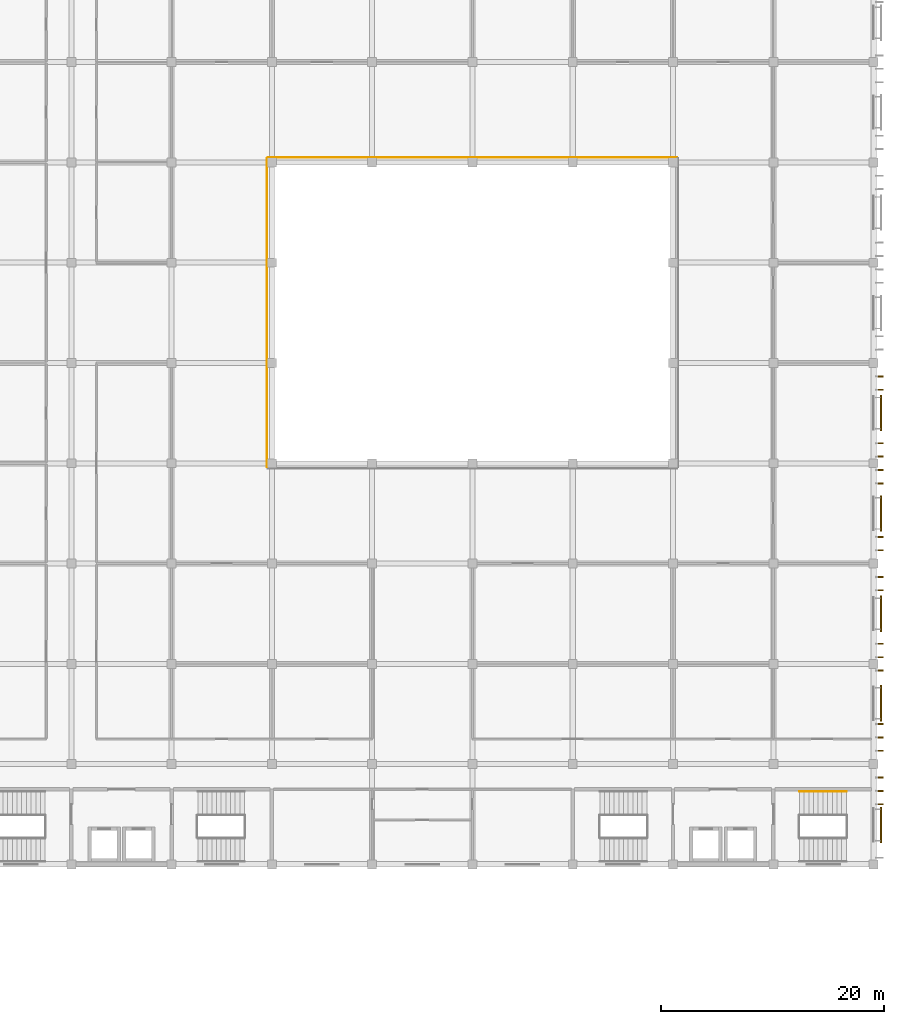
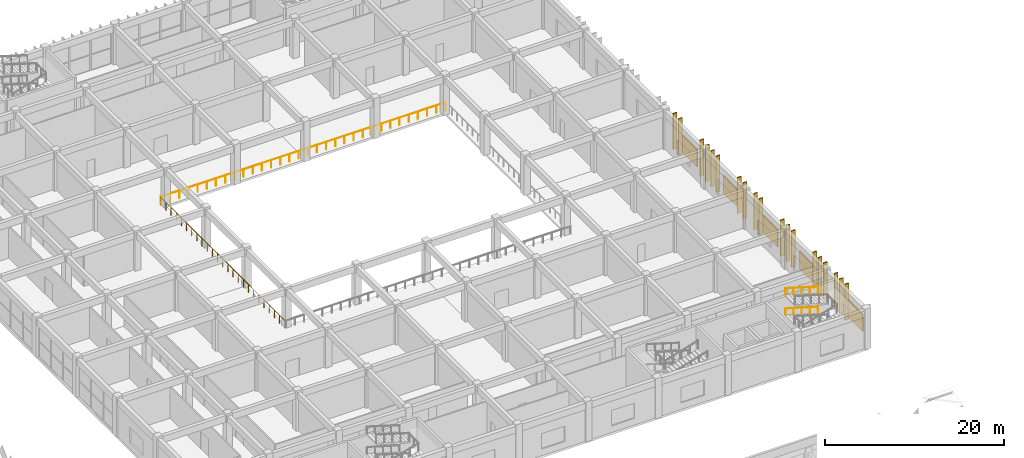
# One storey, part 183 of 185: 19 coverings, 5 shading devices, 4 railings.
"""IFC4 building model written with IfcOpenShell, lengths in metres."""

from ifc_helpers import new_model, si_unit, direction, frame, origin, origin_2d, place, context, subcontext, project, spatial, rectangle, circle, extrude, material, layer, layer_set, constituent, constituent_set, type_object, element, save


model = new_model("IFC4")

# Units and contexts
model_context = context("Model", 3, precision=1e-05, world=origin(), true_north=direction((0.0, 1.0)))
body_context = subcontext(model_context, "Body", "Model", "MODEL_VIEW")
ifc_project = project(units=[si_unit("LENGTHUNIT", "METRE"), si_unit("AREAUNIT", "SQUARE_METRE"), si_unit("VOLUMEUNIT", "CUBIC_METRE"), si_unit("PLANEANGLEUNIT", "RADIAN"), si_unit("MASSUNIT", "GRAM", prefix="KILO")], contexts=[model_context])

# Site, building, storey
site_placement = place(None, origin())
site = spatial("IfcSite", under=ifc_project, at=site_placement, CompositionType="ELEMENT")
building_placement = place(site_placement, origin())
building = spatial("IfcBuilding", under=site, at=building_placement, Name="Opaline Strait Convention Centre", CompositionType="ELEMENT")
storey_placement = place(building_placement, frame((0.0, 0.0, 6.0)))
storey = spatial("IfcBuildingStorey", under=building, at=storey_placement, Name="L01", CompositionType="ELEMENT", Elevation=6.0)

# Railings
ifc_material_1 = material(Name="Steel Q235B", Category="steel")
ifc_constituent_1 = constituent(ifc_material_1, Name="Frame")
ifc_material_2 = material(Name="Safety glass, bonded interlayer", Category="glass")
ifc_constituent_2 = constituent(ifc_material_2, Name="Infill")
ifc_constituent_set = constituent_set(constituents=[ifc_constituent_1, ifc_constituent_2], Name="Steel Q235B, Safety glass, bonded interlayer")
railing_type_1 = type_object("IfcRailingType", Name="Guard 1100 steel and glass", PredefinedType="GUARDRAIL", material=ifc_constituent_set)
railing_1_placement = place(storey_placement, frame((342.35009765625, 153.449951171875, 0.0)))
element("IfcRailing", 1, at=railing_1_placement, inside=storey, type_object=railing_type_1, Name="Atrium edge guard L01 N", PredefinedType="GUARDRAIL", context=body_context, shape_type="SweptSolid", body=[
    extrude(circle(Radius=0.02392578125, at=origin_2d()), frame((0.0, 0.0, 1.076171875), z_axis=(-1.0, 0.0, 0.0), x_axis=(0.0, -1.0, 0.0)), (0.0, 0.0, 1.0), 36.7001953125),
    extrude(circle(Radius=0.02099609375, at=origin_2d()), origin(), (0.0, 0.0, 1.0), 1.052001953125),
    extrude(circle(Radius=0.02099609375, at=origin_2d()), frame((-1.183837890625, 0.0, 0.0)), (0.0, 0.0, 1.0), 1.052001953125),
    extrude(circle(Radius=0.02099609375, at=origin_2d()), frame((-2.36767578125, 0.0, 0.0)), (0.0, 0.0, 1.0), 1.052001953125),
    extrude(circle(Radius=0.02099609375, at=origin_2d()), frame((-3.551513671875, 0.0, 0.0)), (0.0, 0.0, 1.0), 1.052001953125),
    extrude(circle(Radius=0.02099609375, at=origin_2d()), frame((-4.735595703125, 0.0, 0.0)), (0.0, 0.0, 1.0), 1.052001953125),
    extrude(circle(Radius=0.02099609375, at=origin_2d()), frame((-5.91943359375, 0.0, 0.0)), (0.0, 0.0, 1.0), 1.052001953125),
    extrude(circle(Radius=0.02099609375, at=origin_2d()), frame((-7.103271484375, 0.0, 0.0)), (0.0, 0.0, 1.0), 1.052001953125),
    extrude(circle(Radius=0.02099609375, at=origin_2d()), frame((-8.287109375, 0.0, 0.0)), (0.0, 0.0, 1.0), 1.052001953125),
    extrude(circle(Radius=0.02099609375, at=origin_2d()), frame((-9.470947265625, 0.0, 0.0)), (0.0, 0.0, 1.0), 1.052001953125),
    extrude(circle(Radius=0.02099609375, at=origin_2d()), frame((-10.65478515625, 0.0, 0.0)), (0.0, 0.0, 1.0), 1.052001953125),
    extrude(circle(Radius=0.02099609375, at=origin_2d()), frame((-11.8388671875, 0.0, 0.0)), (0.0, 0.0, 1.0), 1.052001953125),
    extrude(circle(Radius=0.02099609375, at=origin_2d()), frame((-13.022705078125, 0.0, 0.0)), (0.0, 0.0, 1.0), 1.052001953125),
    extrude(circle(Radius=0.02099609375, at=origin_2d()), frame((-14.20654296875, 0.0, 0.0)), (0.0, 0.0, 1.0), 1.052001953125),
    extrude(circle(Radius=0.02099609375, at=origin_2d()), frame((-15.390380859375, 0.0, 0.0)), (0.0, 0.0, 1.0), 1.052001953125),
    extrude(circle(Radius=0.02099609375, at=origin_2d()), frame((-16.57421875, 0.0, 0.0)), (0.0, 0.0, 1.0), 1.052001953125),
    extrude(circle(Radius=0.02099609375, at=origin_2d()), frame((-17.758056640625, 0.0, 0.0)), (0.0, 0.0, 1.0), 1.052001953125),
    extrude(circle(Radius=0.02099609375, at=origin_2d()), frame((-18.942138671875, 0.0, 0.0)), (0.0, 0.0, 1.0), 1.052001953125),
    extrude(circle(Radius=0.02099609375, at=origin_2d()), frame((-20.1259765625, 0.0, 0.0)), (0.0, 0.0, 1.0), 1.052001953125),
    extrude(circle(Radius=0.02099609375, at=origin_2d()), frame((-21.309814453125, 0.0, 0.0)), (0.0, 0.0, 1.0), 1.052001953125),
    extrude(circle(Radius=0.02099609375, at=origin_2d()), frame((-22.49365234375, 0.0, 0.0)), (0.0, 0.0, 1.0), 1.052001953125),
    extrude(circle(Radius=0.02099609375, at=origin_2d()), frame((-23.677490234375, 0.0, 0.0)), (0.0, 0.0, 1.0), 1.052001953125),
    extrude(circle(Radius=0.02099609375, at=origin_2d()), frame((-24.861328125, 0.0, 0.0)), (0.0, 0.0, 1.0), 1.052001953125),
    extrude(circle(Radius=0.02099609375, at=origin_2d()), frame((-26.04541015625, 0.0, 0.0)), (0.0, 0.0, 1.0), 1.052001953125),
    extrude(circle(Radius=0.02099609375, at=origin_2d()), frame((-27.229248046875, 0.0, 0.0)), (0.0, 0.0, 1.0), 1.052001953125),
    extrude(circle(Radius=0.02099609375, at=origin_2d()), frame((-28.4130859375, 0.0, 0.0)), (0.0, 0.0, 1.0), 1.052001953125),
    extrude(circle(Radius=0.02099609375, at=origin_2d()), frame((-29.596923828125, 0.0, 0.0)), (0.0, 0.0, 1.0), 1.052001953125),
    extrude(circle(Radius=0.02099609375, at=origin_2d()), frame((-30.78076171875, 0.0, 0.0)), (0.0, 0.0, 1.0), 1.052001953125),
    extrude(circle(Radius=0.02099609375, at=origin_2d()), frame((-31.964599609375, 0.0, 0.0)), (0.0, 0.0, 1.0), 1.052001953125),
    extrude(circle(Radius=0.02099609375, at=origin_2d()), frame((-33.148681640625, 0.0, 0.0)), (0.0, 0.0, 1.0), 1.052001953125),
    extrude(circle(Radius=0.02099609375, at=origin_2d()), frame((-34.33251953125, 0.0, 0.0)), (0.0, 0.0, 1.0), 1.052001953125),
    extrude(circle(Radius=0.02099609375, at=origin_2d()), frame((-35.516357421875, 0.0, 0.0)), (0.0, 0.0, 1.0), 1.052001953125),
    extrude(circle(Radius=0.02099609375, at=origin_2d()), frame((-36.7001953125, 0.0, 0.0)), (0.0, 0.0, 1.0), 1.052001953125),
])
railing_2_placement = place(storey_placement, frame((305.550048828125, 153.35009765625, 0.0)))
element("IfcRailing", 2, at=railing_2_placement, inside=storey, type_object=railing_type_1, Name="Atrium edge guard L01 W", PredefinedType="GUARDRAIL", context=body_context, shape_type="SweptSolid", body=[
    extrude(circle(Radius=0.02392578125, at=origin_2d()), frame((0.0, 0.0, 1.076171875), z_axis=(0.0, -1.0, 0.0), x_axis=(1.0, 0.0, 0.0)), (0.0, 0.0, 1.0), 27.7001953125),
    extrude(circle(Radius=0.02099609375, at=origin_2d()), origin(), (0.0, 0.0, 1.0), 1.052001953125),
    extrude(circle(Radius=0.02099609375, at=origin_2d()), frame((0.0, -1.154296875, 0.0)), (0.0, 0.0, 1.0), 1.052001953125),
    extrude(circle(Radius=0.02099609375, at=origin_2d()), frame((0.0, -2.308349609375, 0.0)), (0.0, 0.0, 1.0), 1.052001953125),
    extrude(circle(Radius=0.02099609375, at=origin_2d()), frame((0.0, -3.46240234375, 0.0)), (0.0, 0.0, 1.0), 1.052001953125),
    extrude(circle(Radius=0.02099609375, at=origin_2d()), frame((0.0, -4.61669921875, 0.0)), (0.0, 0.0, 1.0), 1.052001953125),
    extrude(circle(Radius=0.02099609375, at=origin_2d()), frame((0.0, -5.77099609375, 0.0)), (0.0, 0.0, 1.0), 1.052001953125),
    extrude(circle(Radius=0.02099609375, at=origin_2d()), frame((0.0, -6.925048828125, 0.0)), (0.0, 0.0, 1.0), 1.052001953125),
    extrude(circle(Radius=0.02099609375, at=origin_2d()), frame((0.0, -8.0791015625, 0.0)), (0.0, 0.0, 1.0), 1.052001953125),
    extrude(circle(Radius=0.02099609375, at=origin_2d()), frame((0.0, -9.2333984375, 0.0)), (0.0, 0.0, 1.0), 1.052001953125),
    extrude(circle(Radius=0.02099609375, at=origin_2d()), frame((0.0, -10.3876953125, 0.0)), (0.0, 0.0, 1.0), 1.052001953125),
    extrude(circle(Radius=0.02099609375, at=origin_2d()), frame((0.0, -11.541748046875, 0.0)), (0.0, 0.0, 1.0), 1.052001953125),
    extrude(circle(Radius=0.02099609375, at=origin_2d()), frame((0.0, -12.69580078125, 0.0)), (0.0, 0.0, 1.0), 1.052001953125),
    extrude(circle(Radius=0.02099609375, at=origin_2d()), frame((0.0, -13.85009765625, 0.0)), (0.0, 0.0, 1.0), 1.052001953125),
    extrude(circle(Radius=0.02099609375, at=origin_2d()), frame((0.0, -15.004150390625, 0.0)), (0.0, 0.0, 1.0), 1.052001953125),
    extrude(circle(Radius=0.02099609375, at=origin_2d()), frame((0.0, -16.158447265625, 0.0)), (0.0, 0.0, 1.0), 1.052001953125),
    extrude(circle(Radius=0.02099609375, at=origin_2d()), frame((0.0, -17.3125, 0.0)), (0.0, 0.0, 1.0), 1.052001953125),
    extrude(circle(Radius=0.02099609375, at=origin_2d()), frame((0.0, -18.466796875, 0.0)), (0.0, 0.0, 1.0), 1.052001953125),
    extrude(circle(Radius=0.02099609375, at=origin_2d()), frame((0.0, -19.62109375, 0.0)), (0.0, 0.0, 1.0), 1.052001953125),
    extrude(circle(Radius=0.02099609375, at=origin_2d()), frame((0.0, -20.775146484375, 0.0)), (0.0, 0.0, 1.0), 1.052001953125),
    extrude(circle(Radius=0.02099609375, at=origin_2d()), frame((0.0, -21.92919921875, 0.0)), (0.0, 0.0, 1.0), 1.052001953125),
    extrude(circle(Radius=0.02099609375, at=origin_2d()), frame((0.0, -23.08349609375, 0.0)), (0.0, 0.0, 1.0), 1.052001953125),
    extrude(circle(Radius=0.02099609375, at=origin_2d()), frame((0.0, -24.23779296875, 0.0)), (0.0, 0.0, 1.0), 1.052001953125),
    extrude(circle(Radius=0.02099609375, at=origin_2d()), frame((0.0, -25.391845703125, 0.0)), (0.0, 0.0, 1.0), 1.052001953125),
    extrude(circle(Radius=0.02099609375, at=origin_2d()), frame((0.0, -26.5458984375, 0.0)), (0.0, 0.0, 1.0), 1.052001953125),
    extrude(circle(Radius=0.02099609375, at=origin_2d()), frame((0.0, -27.7001953125, 0.0)), (0.0, 0.0, 1.0), 1.052001953125),
])
ifc_material_3 = material(Name="Stainless steel 304", Category="steel")
railing_type_2 = type_object("IfcRailingType", Name="Stair handrail 900 stainless steel", PredefinedType="HANDRAIL", material=ifc_material_3)
for number, where, name in (
    (3, (357.5498046875, 96.550048828125, 1.5), "L01 S3 stair handrail 2"),
    (4, (357.5498046875, 96.550048828125, 4.25), "L01 S3 stair handrail 4"),
):
    element("IfcRailing", number, at=place(storey_placement, frame(where)), inside=storey, type_object=railing_type_2, Name=name, PredefinedType="HANDRAIL", context=body_context, shape_type="SweptSolid", body=[
        extrude(circle(Radius=0.02392578125, at=origin_2d()), frame((0.0, 0.0, 0.8759765625), z_axis=(-0.958451171748, 0.0, 0.285256641246), x_axis=(0.0, -1.0, 0.0)), (0.0, 0.0, 1.0), 4.382080078125),
        extrude(circle(Radius=0.02099609375, at=origin_2d()), origin(), (0.0, 0.0, 1.0), 0.851806640625),
        extrude(circle(Radius=0.02099609375, at=origin_2d()), frame((-1.050048828125, 0.0, 0.3125)), (0.0, 0.0, 1.0), 0.851806640625),
        extrude(circle(Radius=0.02099609375, at=origin_2d()), frame((-2.10009765625, 0.0, 0.625)), (0.0, 0.0, 1.0), 0.851806640625),
        extrude(circle(Radius=0.02099609375, at=origin_2d()), frame((-3.14990234375, 0.0, 0.9375)), (0.0, 0.0, 1.0), 0.851806640625),
        extrude(circle(Radius=0.02099609375, at=origin_2d()), frame((-4.199951171875, 0.0, 1.25)), (0.0, 0.0, 1.0), 0.851806640625),
    ])

# Shading devices
ifc_material_4 = material(Name="Aluminium alloy 6063-T5", Category="aluminium")
ifc_layer_1 = layer(ifc_material_4, 0.14990234375)
ifc_layer_set_1 = layer_set([ifc_layer_1], Name="Aluminium alloy 6063-T5")
shading_device_type = type_object("IfcShadingDeviceType", Name="Storm louvre 3200 x 2400 aluminium", PredefinedType="JALOUSIE", material=ifc_layer_set_1)
for number, where, z_axis, x_axis, name in (
    (5, (360.675048828125, 93.53759765625, 0.75), (0.0, 0.0, 1.0), (1.0, 0.0, 0.0), "Storm louvre L01"),
    (6, (360.675048828125, 104.46240234375, 0.75), (0.0, 0.0, 1.0), (1.0, 0.0, 0.0), "Storm louvre L01"),
    (7, (360.675048828125, 112.5, 0.75), (0.0, 0.0, 1.0), (1.0, 0.0, 0.0), "Storm louvre L01"),
    (8, (360.675048828125, 121.5, 0.75), (0.0, 0.0, 1.0), (1.0, 0.0, 0.0), "Storm louvre L01"),
    (9, (360.675048828125, 130.5, 0.75), (0.0, 0.0, 1.0), (1.0, 0.0, 0.0), "Storm louvre L01"),
):
    element("IfcShadingDevice", number, at=place(storey_placement, frame(where, z_axis=z_axis, x_axis=x_axis)), inside=storey, type_object=shading_device_type, Name=name, PredefinedType="JALOUSIE", context=body_context, shape_type="SweptSolid", body=[
        extrude(rectangle(XDim=0.14990234375, YDim=3.199951171875, at=origin_2d()), origin(), (0.0, 0.0, 1.0), 2.39990234375),
    ])

# Coverings
ifc_layer_2 = layer(ifc_material_4, 0.1201171875)
ifc_layer_set_2 = layer_set([ifc_layer_2], Name="Aluminium alloy 6063-T5")
covering_type = type_object("IfcCoveringType", Name="Storm louvre fin 120 x 500 aluminium", PredefinedType="CLADDING", material=ifc_layer_set_2)
for number, where, z_axis, x_axis, name in (
    (10, (360.60009765625, 95.39990234375, 0.25), (0.0, 0.0, 1.0), (1.0, 0.0, 0.0), "Storm louvre fin E L01"),
    (11, (360.60009765625, 96.60009765625, 0.25), (0.0, 0.0, 1.0), (1.0, 0.0, 0.0), "Storm louvre fin E L01"),
    (12, (360.60009765625, 97.800048828125, 0.25), (0.0, 0.0, 1.0), (1.0, 0.0, 0.0), "Storm louvre fin E L01"),
    (13, (360.60009765625, 100.199951171875, 0.25), (0.0, 0.0, 1.0), (1.0, 0.0, 0.0), "Storm louvre fin E L01"),
    (14, (360.60009765625, 101.39990234375, 0.25), (0.0, 0.0, 1.0), (1.0, 0.0, 0.0), "Storm louvre fin E L01"),
    (15, (360.60009765625, 102.60009765625, 0.25), (0.0, 0.0, 1.0), (1.0, 0.0, 0.0), "Storm louvre fin E L01"),
    (16, (360.60009765625, 107.39990234375, 0.25), (0.0, 0.0, 1.0), (1.0, 0.0, 0.0), "Storm louvre fin E L01"),
    (17, (360.60009765625, 108.60009765625, 0.25), (0.0, 0.0, 1.0), (1.0, 0.0, 0.0), "Storm louvre fin E L01"),
    (18, (360.60009765625, 109.800048828125, 0.25), (0.0, 0.0, 1.0), (1.0, 0.0, 0.0), "Storm louvre fin E L01"),
    (19, (360.60009765625, 114.60009765625, 0.25), (0.0, 0.0, 1.0), (1.0, 0.0, 0.0), "Storm louvre fin E L01"),
    (20, (360.60009765625, 115.800048828125, 0.25), (0.0, 0.0, 1.0), (1.0, 0.0, 0.0), "Storm louvre fin E L01"),
    (21, (360.60009765625, 118.199951171875, 0.25), (0.0, 0.0, 1.0), (1.0, 0.0, 0.0), "Storm louvre fin E L01"),
    (22, (360.60009765625, 119.39990234375, 0.25), (0.0, 0.0, 1.0), (1.0, 0.0, 0.0), "Storm louvre fin E L01"),
    (23, (360.60009765625, 124.199951171875, 0.25), (0.0, 0.0, 1.0), (1.0, 0.0, 0.0), "Storm louvre fin E L01"),
    (24, (360.60009765625, 125.39990234375, 0.25), (0.0, 0.0, 1.0), (1.0, 0.0, 0.0), "Storm louvre fin E L01"),
    (25, (360.60009765625, 126.60009765625, 0.25), (0.0, 0.0, 1.0), (1.0, 0.0, 0.0), "Storm louvre fin E L01"),
    (26, (360.60009765625, 127.800048828125, 0.25), (0.0, 0.0, 1.0), (1.0, 0.0, 0.0), "Storm louvre fin E L01"),
    (27, (360.60009765625, 132.60009765625, 0.25), (0.0, 0.0, 1.0), (1.0, 0.0, 0.0), "Storm louvre fin E L01"),
    (28, (360.60009765625, 133.800048828125, 0.25), (0.0, 0.0, 1.0), (1.0, 0.0, 0.0), "Storm louvre fin E L01"),
):
    element("IfcCovering", number, at=place(storey_placement, frame(where, z_axis=z_axis, x_axis=x_axis)), inside=storey, type_object=covering_type, Name=name, PredefinedType="CLADDING", context=body_context, shape_type="SweptSolid", body=[
        extrude(rectangle(XDim=0.5, YDim=0.1201171875, at=origin_2d()), origin(), (0.0, 0.0, 1.0), 4.949951171875),
    ])

save(model, "model.ifc")
